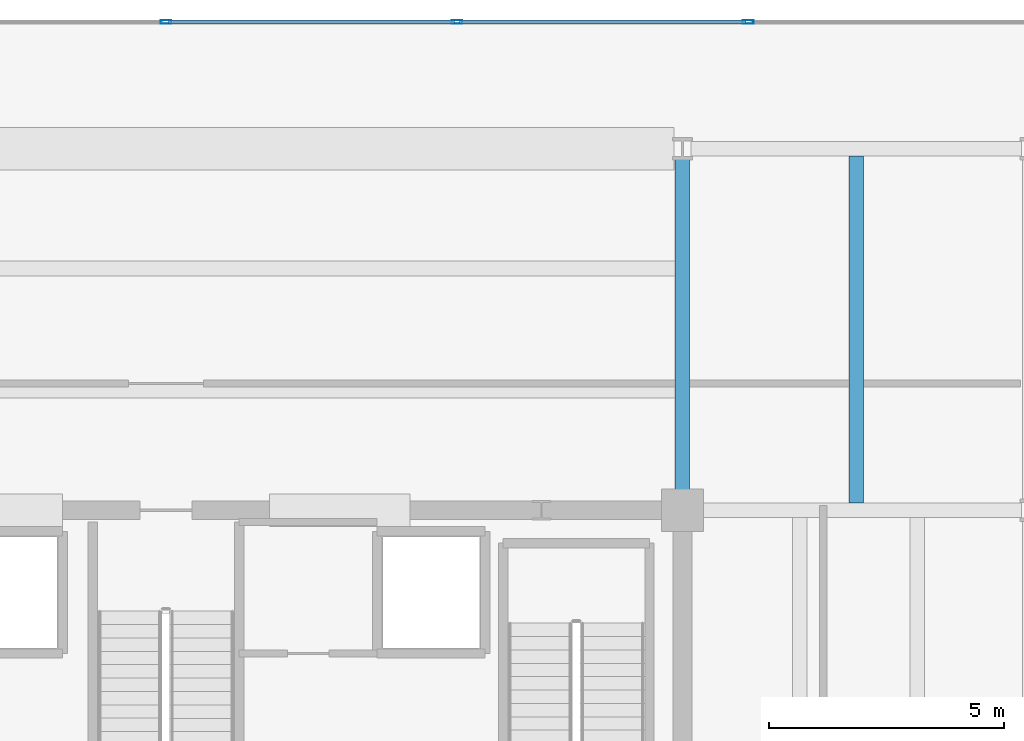
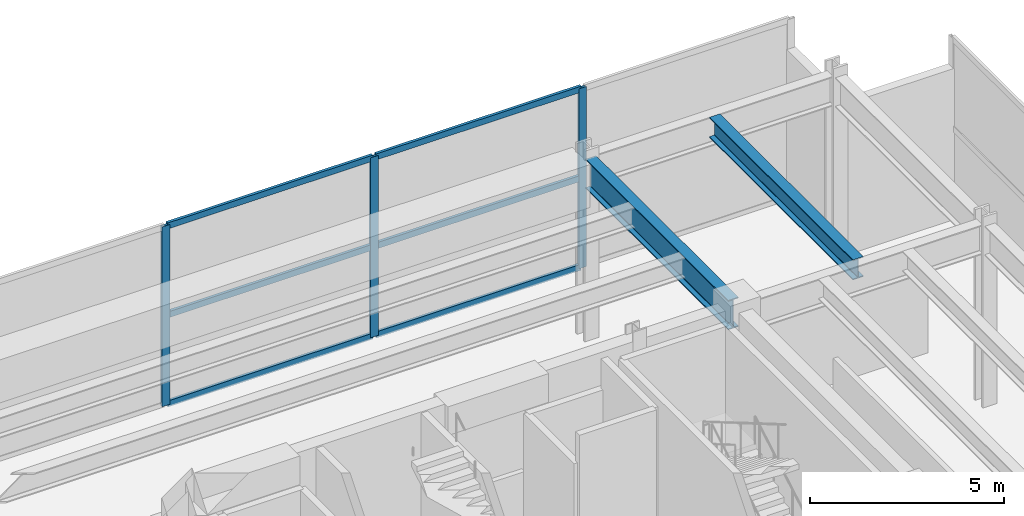
# One storey, part 15 of 21: 9 members, 2 beams, 1 element without a shape of its own.
"""IFC4 building model written with IfcOpenShell, lengths in metres."""

from ifc_helpers import new_model, si_unit, direction, frame, origin, origin_2d, place, context, subcontext, project, spatial, hollow_rectangle, i_section, extrude, material, material_profile, profile_set, type_object, element, aggregate, save


model = new_model("IFC4")

# Units and contexts
model_context = context("Model", 3, precision=1e-05, world=origin(), true_north=direction((0.0, 1.0)))
body_context = subcontext(model_context, "Body", "Model", "MODEL_VIEW")
ifc_project = project(units=[si_unit("LENGTHUNIT", "METRE"), si_unit("AREAUNIT", "SQUARE_METRE"), si_unit("VOLUMEUNIT", "CUBIC_METRE"), si_unit("PLANEANGLEUNIT", "RADIAN"), si_unit("MASSUNIT", "GRAM", prefix="KILO")], contexts=[model_context])

# Site, building, storey
site_placement = place(None, origin())
site = spatial("IfcSite", under=ifc_project, at=site_placement, CompositionType="ELEMENT")
building_placement = place(site_placement, origin())
building = spatial("IfcBuilding", under=site, at=building_placement, Name="Kovane Verandah Tower", CompositionType="ELEMENT")
storey_placement = place(building_placement, frame((0.0, 0.0, 342.800048828125)))
storey = spatial("IfcBuildingStorey", under=building, at=storey_placement, Name="L80", CompositionType="ELEMENT", Elevation=342.800048828125)

# Beams
ifc_material_1 = material(Name="Steel S460", Category="steel")
ifc_material_profile_1 = material_profile(ifc_material_1, i_section(OverallWidth=0.311279296875, OverallDepth=0.6357421875, WebThickness=0.018310546875, FlangeThickness=0.031494140625, FilletRadius=0.0166015625, at=origin_2d()), Name="UB610x305x238")
ifc_profile_set_1 = profile_set([ifc_material_profile_1], Name="Steel S460")
beam_type_1 = type_object("IfcBeamType", Name="BM-UB610x238", PredefinedType="BEAM", material=ifc_profile_set_1)
beam_1_placement = place(storey_placement, frame((54.699951171875, 36.65185546875, 5.382080078125), z_axis=(0.0, 1.0, 0.0), x_axis=(-1.0, 0.0, 0.0)))
element("IfcBeam", 1, at=beam_1_placement, inside=storey, type_object=beam_type_1, Name="L80 Secondary Composite Joist J-NE1", PredefinedType="BEAM", context=body_context, shape_type="SweptSolid", body=[
    extrude(i_section(OverallWidth=0.311279296875, OverallDepth=0.6357421875, WebThickness=0.018310546875, FlangeThickness=0.031494140625, FilletRadius=0.0166015625, at=origin_2d()), origin(), (0.0, 0.0, 1.0), 7.396240234375),
])
ifc_material_profile_2 = material_profile(ifc_material_1, i_section(OverallWidth=0.3076171875, OverallDepth=0.926513671875, WebThickness=0.01953125, FlangeThickness=0.031982421875, FilletRadius=0.01904296875, at=origin_2d()), Name="UB914x305x289")
ifc_profile_set_2 = profile_set([ifc_material_profile_2], Name="Steel S460")
beam_type_2 = type_object("IfcBeamType", Name="BM-UB914x289", PredefinedType="BEAM", material=ifc_profile_set_2)
beam_2_placement = place(storey_placement, frame((51.0, 36.679931640625, 5.236572265625), z_axis=(0.0, 1.0, 0.0), x_axis=(-1.0, 0.0, 0.0)))
element("IfcBeam", 2, at=beam_2_placement, inside=storey, type_object=beam_type_2, Name="L80 Primary Tower Girder G-N2", PredefinedType="BEAM", context=body_context, shape_type="SweptSolid", body=[
    extrude(i_section(OverallWidth=0.3076171875, OverallDepth=0.926513671875, WebThickness=0.01953125, FlangeThickness=0.031982421875, FilletRadius=0.01904296875, at=origin_2d()), origin(), (0.0, 0.0, 1.0), 7.340087890625),
])

# Curtain wall, members
ifc_material_2 = material(Name="Champagne Anodised Aluminium Frame with Low-E Clear Laminated Glass", Category="aluminium")
curtain_wall_type = type_object("IfcCurtainWallType", Name="CW-SYS-06-CROWN", PredefinedType="NOTDEFINED", material=ifc_material_2)
curtain_wall_placement = place(storey_placement, origin())
curtain_wall = element("IfcCurtainWall", 3, at=curtain_wall_placement, inside=storey, type_object=curtain_wall_type, Name="L80 N Unitised Curtain Wall", PredefinedType="NOTDEFINED")
ifc_material_3 = material(Name="Champagne Anodised Aluminium 6063-T6", Category="aluminium")
ifc_material_profile_3 = material_profile(ifc_material_3, hollow_rectangle(XDim=0.0849609375, YDim=0.22998046875, WallThickness=0.00390625, at=origin_2d()), Name="AL85x230x4")
ifc_profile_set_3 = profile_set([ifc_material_profile_3], Name="Champagne Anodised Aluminium 6063-T6")
member_type_1 = type_object("IfcMemberType", Name="CW-MUL-85x230", PredefinedType="MULLION", material=ifc_profile_set_3)
member_1_placement = place(storey_placement, frame((52.39990234375, 46.89990234375, 0.02001953125), z_axis=(0.0, 0.0, 1.0), x_axis=(0.0, 1.0, 0.0)))
member_1 = element("IfcMember", 4, at=member_1_placement, type_object=member_type_1, Name="L80 N Unitised Curtain Wall Mullion 2", PredefinedType="MULLION", context=body_context, shape_type="SweptSolid", body=[
    extrude(hollow_rectangle(XDim=0.0849609375, YDim=0.22998046875, WallThickness=0.00390625, at=origin_2d()), origin(), (0.0, 0.0, 1.0), 5.659912109375),
])
member_2_placement = place(storey_placement, frame((46.199951171875, 46.89990234375, 0.02001953125), z_axis=(0.0, 0.0, 1.0), x_axis=(0.0, 1.0, 0.0)))
member_2 = element("IfcMember", 5, at=member_2_placement, type_object=member_type_1, Name="L80 N Unitised Curtain Wall Mullion 3", PredefinedType="MULLION", context=body_context, shape_type="SweptSolid", body=[
    extrude(hollow_rectangle(XDim=0.0849609375, YDim=0.22998046875, WallThickness=0.00390625, at=origin_2d()), origin(), (0.0, 0.0, 1.0), 5.659912109375),
])
member_3_placement = place(storey_placement, frame((40.0, 46.89990234375, 0.02001953125), z_axis=(0.0, 0.0, 1.0), x_axis=(0.0, 1.0, 0.0)))
member_3 = element("IfcMember", 6, at=member_3_placement, type_object=member_type_1, Name="L80 N Unitised Curtain Wall Mullion 4", PredefinedType="MULLION", context=body_context, shape_type="SweptSolid", body=[
    extrude(hollow_rectangle(XDim=0.0849609375, YDim=0.22998046875, WallThickness=0.00390625, at=origin_2d()), origin(), (0.0, 0.0, 1.0), 5.659912109375),
])
ifc_material_profile_4 = material_profile(ifc_material_3, hollow_rectangle(XDim=0.0849609375, YDim=0.18994140625, WallThickness=0.00390625, at=origin_2d()), Name="AL85x190x4")
ifc_profile_set_4 = profile_set([ifc_material_profile_4], Name="Champagne Anodised Aluminium 6063-T6")
member_type_2 = type_object("IfcMemberType", Name="CW-TRN-85x190", PredefinedType="USERDEFINED", material=ifc_profile_set_4)
member_4_placement = place(storey_placement, frame((52.35009765625, 46.89990234375, 0.050048828125), z_axis=(-1.0, 0.0, 0.0), x_axis=(0.0, -1.0, 0.0)))
member_4 = element("IfcMember", 7, at=member_4_placement, type_object=member_type_2, Name="L80 N Unitised Curtain Wall Transom TB Bay 2", ObjectType="TRANSOM", PredefinedType="USERDEFINED", context=body_context, shape_type="SweptSolid", body=[
    extrude(hollow_rectangle(XDim=0.0849609375, YDim=0.18994140625, WallThickness=0.00390625, at=origin_2d()), origin(), (0.0, 0.0, 1.0), 6.10009765625),
])
member_5_placement = place(storey_placement, frame((52.35009765625, 46.89990234375, 2.849853515625), z_axis=(-1.0, 0.0, 0.0), x_axis=(0.0, -1.0, 0.0)))
member_5 = element("IfcMember", 8, at=member_5_placement, type_object=member_type_2, Name="L80 N Unitised Curtain Wall Transom TM Bay 2", ObjectType="TRANSOM", PredefinedType="USERDEFINED", context=body_context, shape_type="SweptSolid", body=[
    extrude(hollow_rectangle(XDim=0.0849609375, YDim=0.18994140625, WallThickness=0.00390625, at=origin_2d()), origin(), (0.0, 0.0, 1.0), 6.10009765625),
])
member_6_placement = place(storey_placement, frame((52.35009765625, 46.89990234375, 5.64990234375), z_axis=(-1.0, 0.0, 0.0), x_axis=(0.0, -1.0, 0.0)))
member_6 = element("IfcMember", 9, at=member_6_placement, type_object=member_type_2, Name="L80 N Unitised Curtain Wall Transom TT Bay 2", ObjectType="TRANSOM", PredefinedType="USERDEFINED", context=body_context, shape_type="SweptSolid", body=[
    extrude(hollow_rectangle(XDim=0.0849609375, YDim=0.18994140625, WallThickness=0.00390625, at=origin_2d()), origin(), (0.0, 0.0, 1.0), 6.10009765625),
])
member_7_placement = place(storey_placement, frame((46.14990234375, 46.89990234375, 0.050048828125), z_axis=(-1.0, 0.0, 0.0), x_axis=(0.0, -1.0, 0.0)))
member_7 = element("IfcMember", 10, at=member_7_placement, type_object=member_type_2, Name="L80 N Unitised Curtain Wall Transom TB Bay 3", ObjectType="TRANSOM", PredefinedType="USERDEFINED", context=body_context, shape_type="SweptSolid", body=[
    extrude(hollow_rectangle(XDim=0.0849609375, YDim=0.18994140625, WallThickness=0.00390625, at=origin_2d()), origin(), (0.0, 0.0, 1.0), 6.099853515625),
])
member_8_placement = place(storey_placement, frame((46.14990234375, 46.89990234375, 2.849853515625), z_axis=(-1.0, 0.0, 0.0), x_axis=(0.0, -1.0, 0.0)))
member_8 = element("IfcMember", 11, at=member_8_placement, type_object=member_type_2, Name="L80 N Unitised Curtain Wall Transom TM Bay 3", ObjectType="TRANSOM", PredefinedType="USERDEFINED", context=body_context, shape_type="SweptSolid", body=[
    extrude(hollow_rectangle(XDim=0.0849609375, YDim=0.18994140625, WallThickness=0.00390625, at=origin_2d()), origin(), (0.0, 0.0, 1.0), 6.099853515625),
])
member_9_placement = place(storey_placement, frame((46.14990234375, 46.89990234375, 5.64990234375), z_axis=(-1.0, 0.0, 0.0), x_axis=(0.0, -1.0, 0.0)))
member_9 = element("IfcMember", 12, at=member_9_placement, type_object=member_type_2, Name="L80 N Unitised Curtain Wall Transom TT Bay 3", ObjectType="TRANSOM", PredefinedType="USERDEFINED", context=body_context, shape_type="SweptSolid", body=[
    extrude(hollow_rectangle(XDim=0.0849609375, YDim=0.18994140625, WallThickness=0.00390625, at=origin_2d()), origin(), (0.0, 0.0, 1.0), 6.099853515625),
])
aggregate(curtain_wall, [member_1, member_2, member_3, member_4, member_5, member_6, member_7, member_8, member_9])

save(model, "model.ifc")
